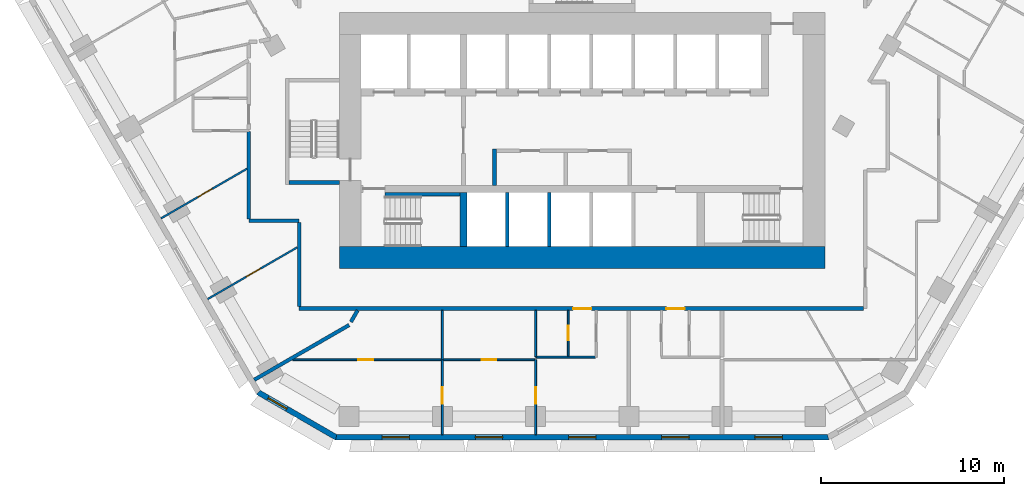
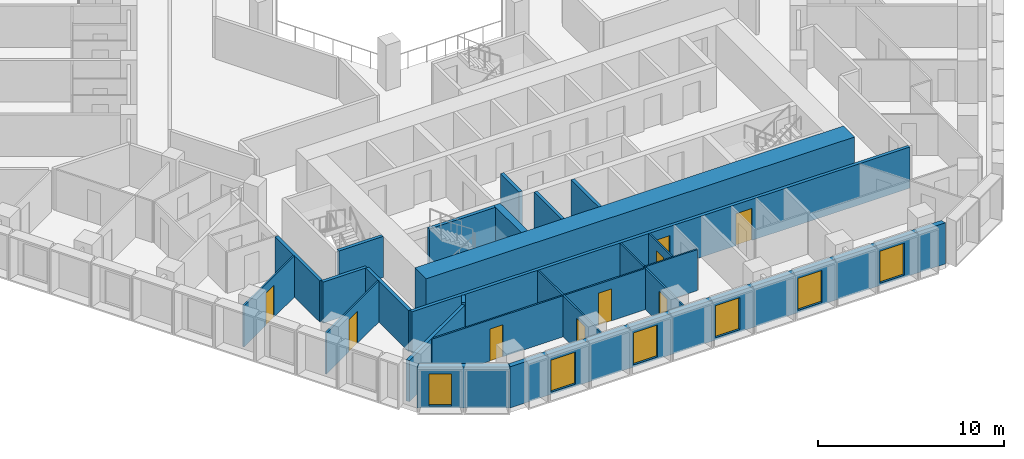
# One storey, part 3 of 16: 24 walls, 9 doors, 6 windows, 15 openings.
"""IFC4 building model written with IfcOpenShell, lengths in metres."""

from ifc_helpers import new_model, si_unit, direction, frame, frame_2d, origin, place, context, subcontext, project, spatial, polyline, rectangle, outline, extrude, material, layer, layer_set, type_object, element, fill, save


model = new_model("IFC4")

# Units and contexts
model_context = context("Model", 3, precision=1e-05, world=origin(), true_north=direction((0.0, 1.0)))
body_context = subcontext(model_context, "Body", "Model", "MODEL_VIEW")
ifc_project = project(units=[si_unit("LENGTHUNIT", "METRE"), si_unit("AREAUNIT", "SQUARE_METRE"), si_unit("VOLUMEUNIT", "CUBIC_METRE"), si_unit("PLANEANGLEUNIT", "RADIAN"), si_unit("MASSUNIT", "GRAM", prefix="KILO")], contexts=[model_context])

# Site, building, storey
site_placement = place(None, origin())
site = spatial("IfcSite", under=ifc_project, at=site_placement, CompositionType="ELEMENT")
building_placement = place(site_placement, origin())
building = spatial("IfcBuilding", under=site, at=building_placement, Name="Beryl Residences", CompositionType="ELEMENT")
storey_placement = place(building_placement, frame((0.0, 0.0, 38.39990234375)))
storey = spatial("IfcBuildingStorey", under=building, at=storey_placement, Name="L11", CompositionType="ELEMENT", Elevation=38.39990234375)

# Wall, opening, window
ifc_material_1 = material(Name="Composite metal panel with mineral wool insulation")
ifc_layer_1 = layer(ifc_material_1, 0.300048828125)
ifc_layer_set_1 = layer_set([ifc_layer_1], Name="ES1 pale metal composite panel wall 300 mm")
wall_type_1 = type_object("IfcWallType", Name="ES1 pale metal composite panel wall 300 mm", PredefinedType="SOLIDWALL", material=ifc_layer_set_1)
wall_1_placement = place(storey_placement, frame((-17.764892578125, -25.77001953125, 0.0), z_axis=(0.0, 0.0, 1.0), x_axis=(0.866010750942, -0.50002537861, 0.0)))
wall_1 = element("IfcWall", 1, at=wall_1_placement, inside=storey, type_object=wall_type_1, Name="ES1 external wall L11 SW-S", PredefinedType="SOLIDWALL", context=body_context, shape_type="SweptSolid", body=[
    extrude(outline(polyline([(0.0, -0.14990234375), (4.999755859375, -0.14990234375), (4.91943359375, 0.14990234375), (0.080322265625, 0.14990234375), (0.0, -0.14990234375)])), origin(), (0.0, 0.0, 1.0), 2.7001953125),
])
opening_1_placement = place(wall_1_placement, frame((0.64990234375, 0.0, 0.14990234375)))
opening_1 = element("IfcOpeningElement", 2, at=opening_1_placement, cuts=wall_1, Name="Opening W2", PredefinedType="OPENING", context=body_context, shape_type="SweptSolid", body=[
    extrude(rectangle(XDim=1.199951171875, YDim=2.10009765625, at=frame_2d((0.60009765625, 1.050048828125))), frame((0.0, 0.159912109375, 0.0), z_axis=(0.0, -1.0, 0.0), x_axis=(1.0, 0.0, 0.0)), (0.0, 0.0, 1.0), 0.320068359375),
])
ifc_material_2 = material(Name="Aluminium and clear glass", Category="aluminium")
window_type_1 = type_object("IfcWindowType", Name="W2 chamfer window 1200 x 2100 mm", PartitioningType="SINGLE_PANEL", PredefinedType="WINDOW", material=ifc_material_2)
window_1_placement = place(opening_1_placement, origin())
window_1 = element("IfcWindow", 3, at=window_1_placement, inside=storey, type_object=window_type_1, Name="W2 window L11 SW-S 1", OverallHeight=2.10009765625, OverallWidth=1.199951171875, PartitioningType="SINGLE_PANEL", PredefinedType="WINDOW", context=body_context, shape_type="SweptSolid", body=[
    extrude(rectangle(XDim=1.199951171875, YDim=2.10009765625, at=frame_2d((0.60009765625, 1.050048828125))), frame((0.0, 0.030029296875, 0.0), z_axis=(0.0, -1.0, 0.0), x_axis=(1.0, 0.0, 0.0)), (0.0, 0.0, 1.0), 0.06005859375),
])
fill(opening_1, window_1)

# Wall, openings, windows
wall_2_placement = place(storey_placement, frame((-13.510009765625, -28.25, 0.0), z_axis=(0.0, 0.0, 1.0), x_axis=(1.0, 0.0, 0.0)))
wall_2 = element("IfcWall", 4, at=wall_2_placement, inside=storey, type_object=wall_type_1, Name="ES1 external wall L11 S", PredefinedType="SOLIDWALL", context=body_context, shape_type="SweptSolid", body=[
    extrude(outline(polyline([(0.0, -0.14990234375), (27.02001953125, -0.14990234375), (26.939697265625, 0.14990234375), (0.080322265625, 0.14990234375), (0.0, -0.14990234375)])), origin(), (0.0, 0.0, 1.0), 2.7001953125),
])
opening_2_placement = place(wall_2_placement, frame((2.552978515625, 0.0, 0.14990234375)))
opening_2 = element("IfcOpeningElement", 5, at=opening_2_placement, cuts=wall_2, Name="Opening W1", PredefinedType="OPENING", context=body_context, shape_type="SweptSolid", body=[
    extrude(rectangle(XDim=1.5, YDim=2.10009765625, at=frame_2d((0.75, 1.050048828125))), frame((0.0, 0.159912109375, 0.0), z_axis=(0.0, -1.0, 0.0), x_axis=(1.0, 0.0, 0.0)), (0.0, 0.0, 1.0), 0.320068359375),
])
opening_3_placement = place(wall_2_placement, frame((7.656982421875, 0.0, 0.14990234375)))
opening_3 = element("IfcOpeningElement", 6, at=opening_3_placement, cuts=wall_2, Name="Opening W1", PredefinedType="OPENING", context=body_context, shape_type="SweptSolid", body=[
    extrude(rectangle(XDim=1.5, YDim=2.10009765625, at=frame_2d((0.75, 1.050048828125))), frame((0.0, 0.159912109375, 0.0), z_axis=(0.0, -1.0, 0.0), x_axis=(1.0, 0.0, 0.0)), (0.0, 0.0, 1.0), 0.320068359375),
])
opening_4_placement = place(wall_2_placement, frame((12.760986328125, 0.0, 0.14990234375)))
opening_4 = element("IfcOpeningElement", 7, at=opening_4_placement, cuts=wall_2, Name="Opening W1", PredefinedType="OPENING", context=body_context, shape_type="SweptSolid", body=[
    extrude(rectangle(XDim=1.5, YDim=2.10009765625, at=frame_2d((0.75, 1.050048828125))), frame((0.0, 0.159912109375, 0.0), z_axis=(0.0, -1.0, 0.0), x_axis=(1.0, 0.0, 0.0)), (0.0, 0.0, 1.0), 0.320068359375),
])
opening_5_placement = place(wall_2_placement, frame((17.864990234375, 0.0, 0.14990234375)))
opening_5 = element("IfcOpeningElement", 8, at=opening_5_placement, cuts=wall_2, Name="Opening W1", PredefinedType="OPENING", context=body_context, shape_type="SweptSolid", body=[
    extrude(rectangle(XDim=1.5, YDim=2.10009765625, at=frame_2d((0.75, 1.050048828125))), frame((0.0, 0.159912109375, 0.0), z_axis=(0.0, -1.0, 0.0), x_axis=(1.0, 0.0, 0.0)), (0.0, 0.0, 1.0), 0.320068359375),
])
opening_6_placement = place(wall_2_placement, frame((22.968994140625, 0.0, 0.14990234375)))
opening_6 = element("IfcOpeningElement", 9, at=opening_6_placement, cuts=wall_2, Name="Opening W1", PredefinedType="OPENING", context=body_context, shape_type="SweptSolid", body=[
    extrude(rectangle(XDim=1.5, YDim=2.10009765625, at=frame_2d((0.75, 1.050048828125))), frame((0.0, 0.159912109375, 0.0), z_axis=(0.0, -1.0, 0.0), x_axis=(1.0, 0.0, 0.0)), (0.0, 0.0, 1.0), 0.320068359375),
])
ifc_material_3 = material(Name="Aluminium and clear glass", Category="aluminium")
window_type_2 = type_object("IfcWindowType", Name="W1 cell window 1500 x 2100 mm", PartitioningType="SINGLE_PANEL", PredefinedType="WINDOW", material=ifc_material_3)
window_2_placement = place(opening_2_placement, origin())
window_2 = element("IfcWindow", 10, at=window_2_placement, inside=storey, type_object=window_type_2, Name="W1 window L11 S 2", OverallHeight=2.10009765625, OverallWidth=1.5, PartitioningType="SINGLE_PANEL", PredefinedType="WINDOW", context=body_context, shape_type="SweptSolid", body=[
    extrude(rectangle(XDim=1.5, YDim=2.10009765625, at=frame_2d((0.75, 1.050048828125))), frame((0.0, 0.030029296875, 0.0), z_axis=(0.0, -1.0, 0.0), x_axis=(1.0, 0.0, 0.0)), (0.0, 0.0, 1.0), 0.06005859375),
])
fill(opening_2, window_2)
window_3_placement = place(opening_3_placement, origin())
window_3 = element("IfcWindow", 11, at=window_3_placement, inside=storey, type_object=window_type_2, Name="W1 window L11 S 4", OverallHeight=2.10009765625, OverallWidth=1.5, PartitioningType="SINGLE_PANEL", PredefinedType="WINDOW", context=body_context, shape_type="SweptSolid", body=[
    extrude(rectangle(XDim=1.5, YDim=2.10009765625, at=frame_2d((0.75, 1.050048828125))), frame((0.0, 0.030029296875, 0.0), z_axis=(0.0, -1.0, 0.0), x_axis=(1.0, 0.0, 0.0)), (0.0, 0.0, 1.0), 0.06005859375),
])
fill(opening_3, window_3)
window_4_placement = place(opening_4_placement, origin())
window_4 = element("IfcWindow", 12, at=window_4_placement, inside=storey, type_object=window_type_2, Name="W1 window L11 S 6", OverallHeight=2.10009765625, OverallWidth=1.5, PartitioningType="SINGLE_PANEL", PredefinedType="WINDOW", context=body_context, shape_type="SweptSolid", body=[
    extrude(rectangle(XDim=1.5, YDim=2.10009765625, at=frame_2d((0.75, 1.050048828125))), frame((0.0, 0.030029296875, 0.0), z_axis=(0.0, -1.0, 0.0), x_axis=(1.0, 0.0, 0.0)), (0.0, 0.0, 1.0), 0.06005859375),
])
fill(opening_4, window_4)
window_5_placement = place(opening_5_placement, origin())
window_5 = element("IfcWindow", 13, at=window_5_placement, inside=storey, type_object=window_type_2, Name="W1 window L11 S 8", OverallHeight=2.10009765625, OverallWidth=1.5, PartitioningType="SINGLE_PANEL", PredefinedType="WINDOW", context=body_context, shape_type="SweptSolid", body=[
    extrude(rectangle(XDim=1.5, YDim=2.10009765625, at=frame_2d((0.75, 1.050048828125))), frame((0.0, 0.030029296875, 0.0), z_axis=(0.0, -1.0, 0.0), x_axis=(1.0, 0.0, 0.0)), (0.0, 0.0, 1.0), 0.06005859375),
])
fill(opening_5, window_5)
window_6_placement = place(opening_6_placement, origin())
window_6 = element("IfcWindow", 14, at=window_6_placement, inside=storey, type_object=window_type_2, Name="W1 window L11 S 10", OverallHeight=2.10009765625, OverallWidth=1.5, PartitioningType="SINGLE_PANEL", PredefinedType="WINDOW", context=body_context, shape_type="SweptSolid", body=[
    extrude(rectangle(XDim=1.5, YDim=2.10009765625, at=frame_2d((0.75, 1.050048828125))), frame((0.0, 0.030029296875, 0.0), z_axis=(0.0, -1.0, 0.0), x_axis=(1.0, 0.0, 0.0)), (0.0, 0.0, 1.0), 0.06005859375),
])
fill(opening_6, window_6)

# Walls
ifc_material_4 = material(Name="Gypsum board partition on steel studs", Category="steel")
ifc_layer_2 = layer(ifc_material_4, 0.10009765625)
ifc_layer_set_2 = layer_set([ifc_layer_2], Name="PT1 partition 100 mm gypsum board on steel studs")
wall_type_2 = type_object("IfcWallType", Name="PT1 partition 100 mm gypsum board on steel studs", PredefinedType="PARTITIONING", material=ifc_layer_set_2)
wall_3_placement = place(storey_placement, frame((-2.551025390625, -21.300048828125, 0.0), z_axis=(0.0, 0.0, 1.0), x_axis=(0.0, -1.0, 0.0)))
element("IfcWall", 15, at=wall_3_placement, inside=storey, type_object=wall_type_2, Name="Wall PT1 L11 011", PredefinedType="PARTITIONING", context=body_context, shape_type="SweptSolid", body=[
    extrude(rectangle(XDim=2.530029296875, YDim=0.10009765625, at=frame_2d((1.26513671875, 0.0))), origin(), (0.0, 0.0, 1.0), 2.7001953125),
])
wall_4_placement = place(storey_placement, frame((-2.551025390625, -23.860107421875, 0.0), z_axis=(0.0, 0.0, 1.0), x_axis=(1.0, 0.0, 0.0)))
element("IfcWall", 16, at=wall_4_placement, inside=storey, type_object=wall_type_2, Name="Wall PT1 L11 030", PredefinedType="PARTITIONING", context=body_context, shape_type="SweptSolid", body=[
    extrude(rectangle(XDim=3.26708984375, YDim=0.10009765625, at=frame_2d((1.633544921875, 0.0))), origin(), (0.0, 0.0, 1.0), 2.7001953125),
])

# Wall, openings, doors
wall_5_placement = place(storey_placement, frame((-15.847900390625, -24.0, 0.0), z_axis=(0.0, 0.0, 1.0), x_axis=(1.0, 0.0, 0.0)))
wall_5 = element("IfcWall", 17, at=wall_5_placement, inside=storey, type_object=wall_type_2, Name="Wall PT1 L11 032", PredefinedType="PARTITIONING", context=body_context, shape_type="SweptSolid", body=[
    extrude(rectangle(XDim=13.246826171875, YDim=0.10009765625, at=frame_2d((6.62353515625, 0.0))), origin(), (0.0, 0.0, 1.0), 2.7001953125),
])
opening_7_placement = place(wall_5_placement, frame((3.595947265625, 0.0, 0.0)))
opening_7 = element("IfcOpeningElement", 18, at=opening_7_placement, cuts=wall_5, Name="Opening D0429", PredefinedType="OPENING", context=body_context, shape_type="SweptSolid", body=[
    extrude(rectangle(XDim=0.800048828125, YDim=2.10009765625, at=frame_2d((0.39990234375, 1.050048828125))), frame((0.0, 0.06005859375, 0.0), z_axis=(0.0, -1.0, 0.0), x_axis=(1.0, 0.0, 0.0)), (0.0, 0.0, 1.0), 0.1201171875),
])
opening_8_placement = place(wall_5_placement, frame((10.344970703125, 0.0, 0.0)))
opening_8 = element("IfcOpeningElement", 19, at=opening_8_placement, cuts=wall_5, Name="Opening D0430", PredefinedType="OPENING", context=body_context, shape_type="SweptSolid", body=[
    extrude(rectangle(XDim=0.800048828125, YDim=2.10009765625, at=frame_2d((0.39990234375, 1.050048828125))), frame((0.0, 0.06005859375, 0.0), z_axis=(0.0, -1.0, 0.0), x_axis=(1.0, 0.0, 0.0)), (0.0, 0.0, 1.0), 0.1201171875),
])
ifc_material_5 = material(Name="Timber door leaf", Category="wood")
door_type_1 = type_object("IfcDoorType", Name="D3 bathroom door 800 x 2100 mm", OperationType="SINGLE_SWING_LEFT", PredefinedType="DOOR", material=ifc_material_5)
door_1_placement = place(opening_7_placement, origin())
door_1 = element("IfcDoor", 20, at=door_1_placement, inside=storey, type_object=door_type_1, Name="Door D0429 L11 001", OperationType="SINGLE_SWING_LEFT", OverallHeight=2.10009765625, OverallWidth=0.800048828125, PredefinedType="DOOR", context=body_context, shape_type="SweptSolid", body=[
    extrude(rectangle(XDim=0.800048828125, YDim=2.10009765625, at=frame_2d((0.39990234375, 1.050048828125))), frame((0.0, 0.02490234375, 0.0), z_axis=(0.0, -1.0, 0.0), x_axis=(1.0, 0.0, 0.0)), (0.0, 0.0, 1.0), 0.050048828125),
])
fill(opening_7, door_1)
door_2_placement = place(opening_8_placement, origin())
door_2 = element("IfcDoor", 21, at=door_2_placement, inside=storey, type_object=door_type_1, Name="Door D0430 L11 001", OperationType="SINGLE_SWING_RIGHT", OverallHeight=2.10009765625, OverallWidth=0.800048828125, PredefinedType="DOOR", context=body_context, shape_type="SweptSolid", body=[
    extrude(rectangle(XDim=0.800048828125, YDim=2.10009765625, at=frame_2d((0.39990234375, 1.050048828125))), frame((0.0, 0.02490234375, 0.0), z_axis=(0.0, -1.0, 0.0), x_axis=(1.0, 0.0, 0.0)), (0.0, 0.0, 1.0), 0.050048828125),
])
fill(opening_8, door_2)

# Wall, opening, door
wall_6_placement = place(storey_placement, frame((-0.764892578125, -23.81005859375, 0.0), z_axis=(0.0, 0.0, 1.0), x_axis=(0.0, 1.0, 0.0)))
wall_6 = element("IfcWall", 22, at=wall_6_placement, inside=storey, type_object=wall_type_2, Name="Wall PT1 L11 053", PredefinedType="PARTITIONING", context=body_context, shape_type="SweptSolid", body=[
    extrude(rectangle(XDim=2.510009765625, YDim=0.10009765625, at=frame_2d((1.2548828125, 0.0))), origin(), (0.0, 0.0, 1.0), 2.7001953125),
])
opening_9_placement = place(wall_6_placement, frame((0.8798828125, 0.0, 0.0)))
opening_9 = element("IfcOpeningElement", 23, at=opening_9_placement, cuts=wall_6, Name="Opening D0426", PredefinedType="OPENING", context=body_context, shape_type="SweptSolid", body=[
    extrude(rectangle(XDim=0.800048828125, YDim=2.10009765625, at=frame_2d((0.39990234375, 1.050048828125))), frame((0.0, 0.06005859375, 0.0), z_axis=(0.0, -1.0, 0.0), x_axis=(1.0, 0.0, 0.0)), (0.0, 0.0, 1.0), 0.1201171875),
])
door_3_placement = place(opening_9_placement, origin())
door_3 = element("IfcDoor", 24, at=door_3_placement, inside=storey, type_object=door_type_1, Name="Door D0426 L11 001", OperationType="SINGLE_SWING_RIGHT", OverallHeight=2.10009765625, OverallWidth=0.800048828125, PredefinedType="DOOR", context=body_context, shape_type="SweptSolid", body=[
    extrude(rectangle(XDim=0.800048828125, YDim=2.10009765625, at=frame_2d((0.39990234375, 1.050048828125))), frame((0.0, 0.02490234375, 0.0), z_axis=(0.0, -1.0, 0.0), x_axis=(1.0, 0.0, 0.0)), (0.0, 0.0, 1.0), 0.050048828125),
])
fill(opening_9, door_3)

wall_7_placement = place(storey_placement, frame((-7.655029296875, -28.10009765625, 0.0), z_axis=(0.0, 0.0, 1.0), x_axis=(0.0, 1.0, 0.0)))
wall_7 = element("IfcWall", 25, at=wall_7_placement, inside=storey, type_object=wall_type_2, Name="Wall PT1 L11 054", PredefinedType="PARTITIONING", context=body_context, shape_type="SweptSolid", body=[
    extrude(rectangle(XDim=4.10009765625, YDim=0.10009765625, at=frame_2d((2.050048828125, 0.0))), origin(), (0.0, 0.0, 1.0), 2.7001953125),
])
opening_10_placement = place(wall_7_placement, frame((1.699951171875, 0.0, 0.0)))
opening_10 = element("IfcOpeningElement", 26, at=opening_10_placement, cuts=wall_7, Name="Opening D0428", PredefinedType="OPENING", context=body_context, shape_type="SweptSolid", body=[
    extrude(rectangle(XDim=0.89990234375, YDim=2.10009765625, at=frame_2d((0.449951171875, 1.050048828125))), frame((0.0, 0.06005859375, 0.0), z_axis=(0.0, -1.0, 0.0), x_axis=(1.0, 0.0, 0.0)), (0.0, 0.0, 1.0), 0.1201171875),
])
ifc_material_6 = material(Name="Timber door leaf", Category="wood")
door_type_2 = type_object("IfcDoorType", Name="D2 room door 900 x 2100 mm", OperationType="SINGLE_SWING_LEFT", PredefinedType="DOOR", material=ifc_material_6)
door_4_placement = place(opening_10_placement, origin())
door_4 = element("IfcDoor", 27, at=door_4_placement, inside=storey, type_object=door_type_2, Name="Door D0428 L11 001", OperationType="SINGLE_SWING_RIGHT", OverallHeight=2.10009765625, OverallWidth=0.89990234375, PredefinedType="DOOR", context=body_context, shape_type="SweptSolid", body=[
    extrude(rectangle(XDim=0.89990234375, YDim=2.10009765625, at=frame_2d((0.449951171875, 1.050048828125))), frame((0.0, 0.02490234375, 0.0), z_axis=(0.0, -1.0, 0.0), x_axis=(1.0, 0.0, 0.0)), (0.0, 0.0, 1.0), 0.050048828125),
])
fill(opening_10, door_4)

wall_8_placement = place(storey_placement, frame((-2.551025390625, -28.10009765625, 0.0), z_axis=(0.0, 0.0, 1.0), x_axis=(0.0, 1.0, 0.0)))
wall_8 = element("IfcWall", 28, at=wall_8_placement, inside=storey, type_object=wall_type_2, Name="Wall PT1 L11 059", PredefinedType="PARTITIONING", context=body_context, shape_type="SweptSolid", body=[
    extrude(rectangle(XDim=4.10009765625, YDim=0.10009765625, at=frame_2d((2.050048828125, 0.0))), origin(), (0.0, 0.0, 1.0), 2.7001953125),
])
opening_11_placement = place(wall_8_placement, frame((1.699951171875, 0.0, 0.0)))
opening_11 = element("IfcOpeningElement", 29, at=opening_11_placement, cuts=wall_8, Name="Opening D0427", PredefinedType="OPENING", context=body_context, shape_type="SweptSolid", body=[
    extrude(rectangle(XDim=0.89990234375, YDim=2.10009765625, at=frame_2d((0.449951171875, 1.050048828125))), frame((0.0, 0.06005859375, 0.0), z_axis=(0.0, -1.0, 0.0), x_axis=(1.0, 0.0, 0.0)), (0.0, 0.0, 1.0), 0.1201171875),
])
door_5_placement = place(opening_11_placement, origin())
door_5 = element("IfcDoor", 30, at=door_5_placement, inside=storey, type_object=door_type_2, Name="Door D0427 L11 001", OperationType="SINGLE_SWING_LEFT", OverallHeight=2.10009765625, OverallWidth=0.89990234375, PredefinedType="DOOR", context=body_context, shape_type="SweptSolid", body=[
    extrude(rectangle(XDim=0.89990234375, YDim=2.10009765625, at=frame_2d((0.449951171875, 1.050048828125))), frame((0.0, 0.02490234375, 0.0), z_axis=(0.0, -1.0, 0.0), x_axis=(1.0, 0.0, 0.0)), (0.0, 0.0, 1.0), 0.050048828125),
])
fill(opening_11, door_5)

wall_9_placement = place(storey_placement, frame((-20.507080078125, -20.680908203125, 0.0), z_axis=(0.0, 0.0, 1.0), x_axis=(0.866028446103, 0.499994730513, 0.0)))
wall_9 = element("IfcWall", 31, at=wall_9_placement, inside=storey, type_object=wall_type_2, Name="Wall PT1 L11 062", PredefinedType="PARTITIONING", context=body_context, shape_type="SweptSolid", body=[
    extrude(rectangle(XDim=5.666015625, YDim=0.10009765625, at=frame_2d((2.8330078125, 0.0))), origin(), (0.0, 0.0, 1.0), 2.7001953125),
])
opening_12_placement = place(wall_9_placement, frame((2.43994140625, 0.0, 0.0)))
opening_12 = element("IfcOpeningElement", 32, at=opening_12_placement, cuts=wall_9, Name="Opening D0423", PredefinedType="OPENING", context=body_context, shape_type="SweptSolid", body=[
    extrude(rectangle(XDim=0.89990234375, YDim=2.10009765625, at=frame_2d((0.449951171875, 1.050048828125))), frame((0.0, 0.06005859375, 0.0), z_axis=(0.0, -1.0, 0.0), x_axis=(1.0, 0.0, 0.0)), (0.0, 0.0, 1.0), 0.1201171875),
])
door_6_placement = place(opening_12_placement, origin())
door_6 = element("IfcDoor", 33, at=door_6_placement, inside=storey, type_object=door_type_2, Name="Door D0423 L11 001", OperationType="SINGLE_SWING_LEFT", OverallHeight=2.10009765625, OverallWidth=0.89990234375, PredefinedType="DOOR", context=body_context, shape_type="SweptSolid", body=[
    extrude(rectangle(XDim=0.89990234375, YDim=2.10009765625, at=frame_2d((0.449951171875, 1.050048828125))), frame((0.0, 0.02490234375, 0.0), z_axis=(0.0, -1.0, 0.0), x_axis=(1.0, 0.0, 0.0)), (0.0, 0.0, 1.0), 0.050048828125),
])
fill(opening_12, door_6)

wall_10_placement = place(storey_placement, frame((-23.05908203125, -16.260986328125, 0.0), z_axis=(0.0, 0.0, 1.0), x_axis=(0.866004639177, 0.500035963631, 0.0)))
wall_10 = element("IfcWall", 34, at=wall_10_placement, inside=storey, type_object=wall_type_2, Name="Wall PT1 L11 064", PredefinedType="PARTITIONING", context=body_context, shape_type="SweptSolid", body=[
    extrude(rectangle(XDim=5.4375, YDim=0.10009765625, at=frame_2d((2.71875, 0.0))), origin(), (0.0, 0.0, 1.0), 2.7001953125),
])
opening_13_placement = place(wall_10_placement, frame((2.325927734375, 0.0, 0.0)))
opening_13 = element("IfcOpeningElement", 35, at=opening_13_placement, cuts=wall_10, Name="Opening D0422", PredefinedType="OPENING", context=body_context, shape_type="SweptSolid", body=[
    extrude(rectangle(XDim=0.89990234375, YDim=2.10009765625, at=frame_2d((0.449951171875, 1.050048828125))), frame((0.0, 0.06005859375, 0.0), z_axis=(0.0, -1.0, 0.0), x_axis=(1.0, 0.0, 0.0)), (0.0, 0.0, 1.0), 0.1201171875),
])
door_7_placement = place(opening_13_placement, origin())
door_7 = element("IfcDoor", 36, at=door_7_placement, inside=storey, type_object=door_type_2, Name="Door D0422 L11 001", OperationType="SINGLE_SWING_RIGHT", OverallHeight=2.10009765625, OverallWidth=0.89990234375, PredefinedType="DOOR", context=body_context, shape_type="SweptSolid", body=[
    extrude(rectangle(XDim=0.89990234375, YDim=2.10009765625, at=frame_2d((0.449951171875, 1.050048828125))), frame((0.0, 0.02490234375, 0.0), z_axis=(0.0, -1.0, 0.0), x_axis=(1.0, 0.0, 0.0)), (0.0, 0.0, 1.0), 0.050048828125),
])
fill(opening_13, door_7)

# Walls
wall_11_placement = place(storey_placement, frame((-7.655029296875, -24.0, 0.0), z_axis=(0.0, 0.0, 1.0), x_axis=(0.0, 1.0, 0.0)))
element("IfcWall", 37, at=wall_11_placement, inside=storey, type_object=wall_type_2, Name="Wall PT1 L11 075", PredefinedType="PARTITIONING", context=body_context, shape_type="SweptSolid", body=[
    extrude(rectangle(XDim=2.699951171875, YDim=0.10009765625, at=frame_2d((1.35009765625, 0.0))), origin(), (0.0, 0.0, 1.0), 2.7001953125),
])
ifc_material_7 = material(Name="Concrete masonry", Category="masonry")
ifc_layer_3 = layer(ifc_material_7, 0.199951171875)
ifc_layer_set_3 = layer_set([ifc_layer_3], Name="PT13 lobby wall 200 mm")
wall_type_3 = type_object("IfcWallType", Name="PT13 lobby wall 200 mm", PredefinedType="PARTITIONING", material=ifc_layer_set_3)
wall_12_placement = place(storey_placement, frame((-4.800048828125, -14.449951171875, 0.0), z_axis=(0.0, 0.0, 1.0), x_axis=(0.0, 1.0, 0.0)))
element("IfcWall", 38, at=wall_12_placement, inside=storey, type_object=wall_type_3, Name="Lobby wall 07", PredefinedType="PARTITIONING", context=body_context, shape_type="SweptSolid", body=[
    extrude(rectangle(XDim=2.0, YDim=0.199951171875, at=frame_2d((1.0, 0.0))), origin(), (0.0, 0.0, 1.0), 2.7001953125),
])
ifc_material_8 = material(Name="Acoustic double stud gypsum board wall")
ifc_layer_4 = layer(ifc_material_8, 0.199951171875)
ifc_layer_set_4 = layer_set([ifc_layer_4], Name="PT3 party wall 200 mm acoustic double stud")
wall_type_4 = type_object("IfcWallType", Name="PT3 party wall 200 mm acoustic double stud", PredefinedType="PARTITIONING", material=ifc_layer_set_4)
wall_13_placement = place(storey_placement, frame((-12.660888671875, -21.928955078125, 0.0), z_axis=(0.0, 0.0, 1.0), x_axis=(0.499683639304, 0.866207977689, 0.0)))
element("IfcWall", 39, at=wall_13_placement, inside=storey, type_object=wall_type_4, Name="Wall PT3 L11 013", PredefinedType="PARTITIONING", context=body_context, shape_type="SweptSolid", body=[
    extrude(rectangle(XDim=0.72607421875, YDim=0.199951171875, at=frame_2d((0.363037109375, 0.0))), origin(), (0.0, 0.0, 1.0), 2.7001953125),
])
wall_14_placement = place(storey_placement, frame((-17.955078125, -25.10107421875, 0.0), z_axis=(0.0, 0.0, 1.0), x_axis=(0.866039817231, 0.499975034347, 0.0)))
element("IfcWall", 40, at=wall_14_placement, inside=storey, type_object=wall_type_4, Name="Wall PT3 L11 022", PredefinedType="PARTITIONING", context=body_context, shape_type="SweptSolid", body=[
    extrude(rectangle(XDim=5.996337890625, YDim=0.199951171875, at=frame_2d((2.998046875, 0.0))), origin(), (0.0, 0.0, 1.0), 2.7001953125),
])
ifc_material_9 = material(Name="Double stud gypsum board wall")
ifc_layer_5 = layer(ifc_material_9, 0.199951171875)
ifc_layer_set_5 = layer_set([ifc_layer_5], Name="PT4 corridor wall 200 mm double stud")
wall_type_5 = type_object("IfcWallType", Name="PT4 corridor wall 200 mm double stud", PredefinedType="PARTITIONING", material=ifc_layer_set_5)
wall_15_placement = place(storey_placement, frame((-15.5, -16.5, 0.0), z_axis=(0.0, 0.0, 1.0), x_axis=(0.0, -1.0, 0.0)))
element("IfcWall", 41, at=wall_15_placement, inside=storey, type_object=wall_type_5, Name="Wall PT4 L11 007", PredefinedType="PARTITIONING", context=body_context, shape_type="SweptSolid", body=[
    extrude(rectangle(XDim=4.59912109375, YDim=0.199951171875, at=frame_2d((2.299560546875, 0.0))), origin(), (0.0, 0.0, 1.0), 2.7001953125),
])
wall_16_placement = place(storey_placement, frame((-18.25, -11.507080078125, 0.0), z_axis=(0.0, 0.0, 1.0), x_axis=(0.0, -1.0, 0.0)))
element("IfcWall", 42, at=wall_16_placement, inside=storey, type_object=wall_type_5, Name="Wall PT4 L11 008", PredefinedType="PARTITIONING", context=body_context, shape_type="SweptSolid", body=[
    extrude(rectangle(XDim=4.7919921875, YDim=0.199951171875, at=frame_2d((2.39599609375, 0.0))), origin(), (0.0, 0.0, 1.0), 2.7001953125),
])
wall_17_placement = place(storey_placement, frame((-18.2490234375, -16.39990234375, 0.0), z_axis=(0.0, 0.0, 1.0), x_axis=(1.0, 0.0, 0.0)))
element("IfcWall", 43, at=wall_17_placement, inside=storey, type_object=wall_type_5, Name="Wall PT4 L11 012", PredefinedType="PARTITIONING", context=body_context, shape_type="SweptSolid", body=[
    extrude(rectangle(XDim=2.7490234375, YDim=0.199951171875, at=frame_2d((1.37451171875, 0.0))), origin(), (0.0, 0.0, 1.0), 2.7001953125),
])

# Wall, openings, doors
wall_18_placement = place(storey_placement, frame((-15.4990234375, -21.199951171875, 0.0), z_axis=(0.0, 0.0, 1.0), x_axis=(1.0, 0.0, 0.0)))
wall_18 = element("IfcWall", 44, at=wall_18_placement, inside=storey, type_object=wall_type_5, Name="Wall PT4 L11 013", PredefinedType="PARTITIONING", context=body_context, shape_type="SweptSolid", body=[
    extrude(rectangle(XDim=30.89794921875, YDim=0.199951171875, at=frame_2d((15.448974609375, 0.0))), origin(), (0.0, 0.0, 1.0), 2.7001953125),
])
opening_14_placement = place(wall_18_placement, frame((15.0, 0.0, 0.0)))
opening_14 = element("IfcOpeningElement", 45, at=opening_14_placement, cuts=wall_18, Name="Opening D0424", PredefinedType="OPENING", context=body_context, shape_type="SweptSolid", body=[
    extrude(rectangle(XDim=1.0, YDim=2.10009765625, at=frame_2d((0.5, 1.050048828125))), frame((0.0, 0.10986328125, 0.0), z_axis=(0.0, -1.0, 0.0), x_axis=(1.0, 0.0, 0.0)), (0.0, 0.0, 1.0), 0.219970703125),
])
opening_15_placement = place(wall_18_placement, frame((20.10400390625, 0.0, 0.0)))
opening_15 = element("IfcOpeningElement", 46, at=opening_15_placement, cuts=wall_18, Name="Opening D0431", PredefinedType="OPENING", context=body_context, shape_type="SweptSolid", body=[
    extrude(rectangle(XDim=1.0, YDim=2.10009765625, at=frame_2d((0.5, 1.050048828125))), frame((0.0, 0.10986328125, 0.0), z_axis=(0.0, -1.0, 0.0), x_axis=(1.0, 0.0, 0.0)), (0.0, 0.0, 1.0), 0.219970703125),
])
ifc_material_10 = material(Name="Timber door leaf", Category="wood")
door_type_3 = type_object("IfcDoorType", Name="D1 flat entrance door 1000 x 2100 mm", OperationType="SINGLE_SWING_LEFT", PredefinedType="DOOR", material=ifc_material_10)
door_8_placement = place(opening_14_placement, origin())
door_8 = element("IfcDoor", 47, at=door_8_placement, inside=storey, type_object=door_type_3, Name="Door D0424 L11 001", OperationType="SINGLE_SWING_RIGHT", OverallHeight=2.10009765625, OverallWidth=1.0, PredefinedType="DOOR", context=body_context, shape_type="SweptSolid", body=[
    extrude(rectangle(XDim=1.0, YDim=2.10009765625, at=frame_2d((0.5, 1.050048828125))), frame((0.0, 0.02490234375, 0.0), z_axis=(0.0, -1.0, 0.0), x_axis=(1.0, 0.0, 0.0)), (0.0, 0.0, 1.0), 0.050048828125),
])
fill(opening_14, door_8)
door_9_placement = place(opening_15_placement, origin())
door_9 = element("IfcDoor", 48, at=door_9_placement, inside=storey, type_object=door_type_3, Name="Door D0431 L11 001", OperationType="SINGLE_SWING_LEFT", OverallHeight=2.10009765625, OverallWidth=1.0, PredefinedType="DOOR", context=body_context, shape_type="SweptSolid", body=[
    extrude(rectangle(XDim=1.0, YDim=2.10009765625, at=frame_2d((0.5, 1.050048828125))), frame((0.0, 0.02490234375, 0.0), z_axis=(0.0, -1.0, 0.0), x_axis=(1.0, 0.0, 0.0)), (0.0, 0.0, 1.0), 0.050048828125),
])
fill(opening_15, door_9)

# Walls
ifc_material_11 = material(Name="Concrete C40/50", Category="concrete")
ifc_layer_6 = layer(ifc_material_11, 0.199951171875)
ifc_layer_set_6 = layer_set([ifc_layer_6], Name="PT5 stair enclosure wall 200 mm reinforced concrete C40/50")
wall_type_6 = type_object("IfcWallType", Name="PT5 stair enclosure wall 200 mm reinforced concrete C40/50", PredefinedType="SOLIDWALL", material=ifc_layer_set_6)
wall_19_placement = place(storey_placement, frame((-16.050048828125, -14.300048828125, 0.0), z_axis=(0.0, 0.0, 1.0), x_axis=(1.0, 0.0, 0.0)))
element("IfcWall", 49, at=wall_19_placement, inside=storey, type_object=wall_type_6, Name="Stair wall 02", PredefinedType="SOLIDWALL", context=body_context, shape_type="SweptSolid", body=[
    extrude(rectangle(XDim=2.75, YDim=0.199951171875, at=frame_2d((1.375, 0.0))), origin(), (0.0, 0.0, 1.0), 2.7001953125),
])
wall_20_placement = place(storey_placement, frame((-10.800048828125, -14.949951171875, 0.0), z_axis=(0.0, 0.0, 1.0), x_axis=(1.0, 0.0, 0.0)))
element("IfcWall", 50, at=wall_20_placement, inside=storey, type_object=wall_type_6, Name="Stair wall 04", PredefinedType="SOLIDWALL", context=body_context, shape_type="SweptSolid", body=[
    extrude(rectangle(XDim=4.10009765625, YDim=0.199951171875, at=frame_2d((2.050048828125, 0.0))), origin(), (0.0, 0.0, 1.0), 2.7001953125),
])
ifc_material_12 = material(Name="Concrete C40/50", Category="concrete")
ifc_layer_7 = layer(ifc_material_12, 0.199951171875)
ifc_layer_set_7 = layer_set([ifc_layer_7], Name="PT6 lift shaft wall 200 mm reinforced concrete C40/50")
wall_type_7 = type_object("IfcWallType", Name="PT6 lift shaft wall 200 mm reinforced concrete C40/50", PredefinedType="SOLIDWALL", material=ifc_layer_set_7)
for number, where, z_axis, x_axis, name in (
    (51, (-4.10009765625, -17.800048828125, 0.0), (0.0, 0.0, 1.0), (0.0, 1.0, 0.0), "Lift shaft wall 09"),
    (52, (-1.800048828125, -17.800048828125, 0.0), (0.0, 0.0, 1.0), (0.0, 1.0, 0.0), "Lift shaft wall 11"),
):
    element("IfcWall", number, at=place(storey_placement, frame(where, z_axis=z_axis, x_axis=x_axis)), inside=storey, type_object=wall_type_7, Name=name, PredefinedType="SOLIDWALL", context=body_context, shape_type="SweptSolid", body=[
        extrude(rectangle(XDim=2.949951171875, YDim=0.199951171875, at=frame_2d((1.47509765625, 0.0))), origin(), (0.0, 0.0, 1.0), 2.7001953125),
    ])
ifc_material_13 = material(Name="Concrete C80/95", Category="concrete")
ifc_layer_8 = layer(ifc_material_13, 1.199951171875)
ifc_layer_set_8 = layer_set([ifc_layer_8], Name="SW1 core outer wall 1200 mm C80/95")
wall_type_8 = type_object("IfcWallType", Name="SW1 core outer wall 1200 mm C80/95", PredefinedType="SHEAR", material=ifc_layer_set_8)
wall_21_placement = place(storey_placement, frame((-13.300048828125, -18.39990234375, 0.0), z_axis=(0.0, 0.0, 1.0), x_axis=(1.0, 0.0, 0.0)))
element("IfcWall", 53, at=wall_21_placement, inside=storey, type_object=wall_type_8, Name="Core wall S L11", PredefinedType="SHEAR", context=body_context, shape_type="SweptSolid", body=[
    extrude(rectangle(XDim=26.60009765625, YDim=1.199951171875, at=frame_2d((13.300048828125, 0.0))), origin(), (0.0, 0.0, 1.0), 2.7001953125),
])
ifc_material_14 = material(Name="Concrete C80/95", Category="concrete")
ifc_layer_9 = layer(ifc_material_14, 0.39990234375)
ifc_layer_set_9 = layer_set([ifc_layer_9], Name="SW6 core internal wall 400 mm C80/95")
wall_type_9 = type_object("IfcWallType", Name="SW6 core internal wall 400 mm C80/95", PredefinedType="SHEAR", material=ifc_layer_set_9)
wall_22_placement = place(storey_placement, frame((-6.5, -17.800048828125, 0.0), z_axis=(0.0, 0.0, 1.0), x_axis=(0.0, 1.0, 0.0)))
element("IfcWall", 54, at=wall_22_placement, inside=storey, type_object=wall_type_9, Name="Core wall XS1 L11", PredefinedType="SHEAR", context=body_context, shape_type="SweptSolid", body=[
    extrude(rectangle(XDim=2.949951171875, YDim=0.39990234375, at=frame_2d((1.47509765625, 0.0))), origin(), (0.0, 0.0, 1.0), 2.7001953125),
])

save(model, "model.ifc")
